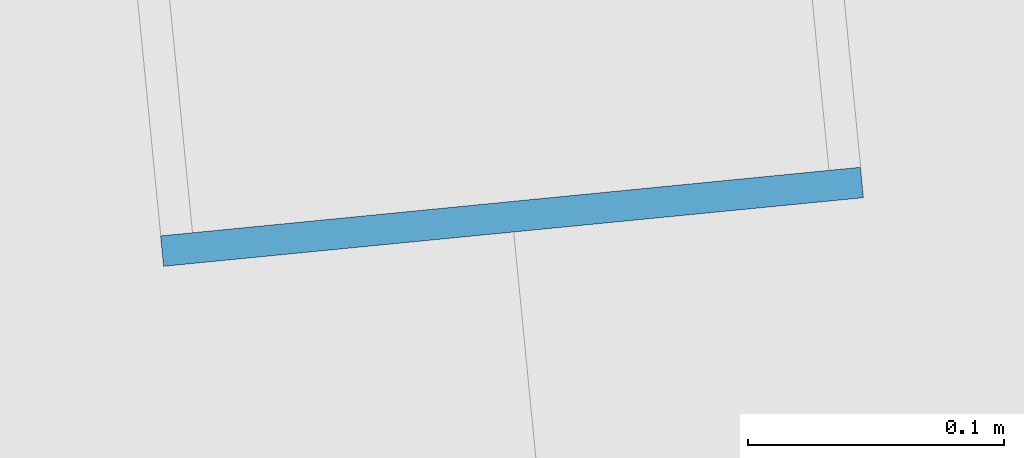
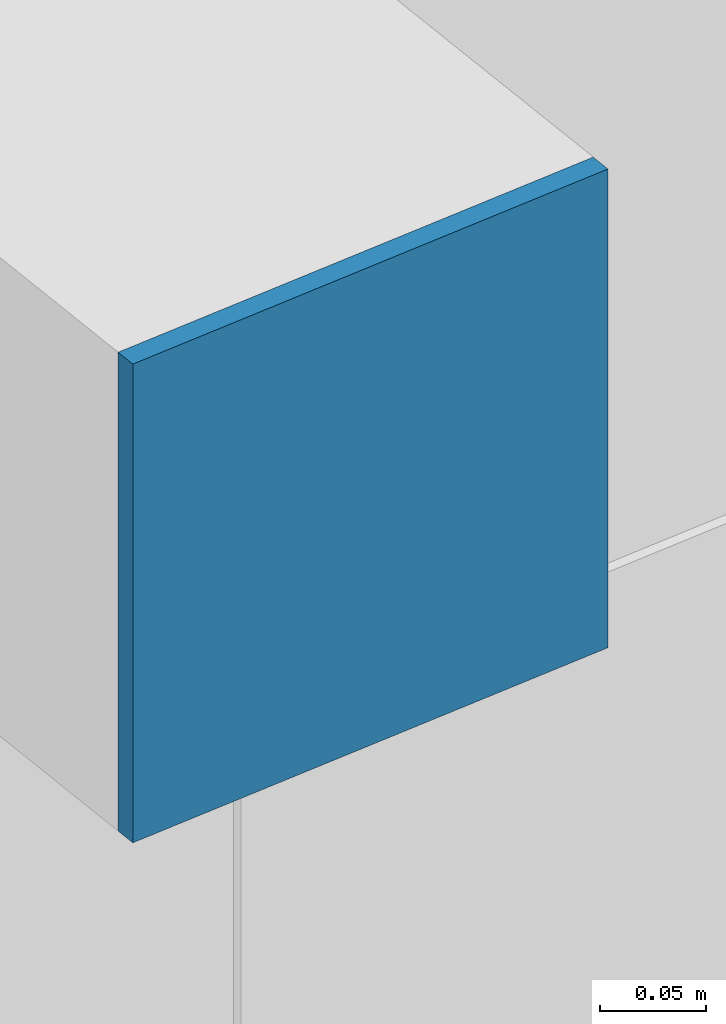
# One storey, part 34 of 47: 1 plate.
"""IFC4 building model written with IfcOpenShell, lengths in metres."""

import ifcopenshell
import ifcopenshell.guid

model = None  # the IFC model being written
_history = None  # IfcOwnerHistory: only IFC2X3 demands one
_inside = {}  # id of a spatial element -> (the spatial element, [elements in it])
_under = {}  # id of a project, library or spatial element -> (it, [spatial elements below it])
_declared = {}  # id of a project -> (the project, [libraries it declares])
_typed = {}  # id of a type object -> (the type object, [elements of that type])
_made_of = {}  # id of a material, layer set ... -> (it, [elements and type objects made of it])


def new_model(schema):
    """Start an empty IFC model of exactly this schema.

    Asked for "IFC4X3", IfcOpenShell would pick the latest addendum, in which some entities
    have other attributes; the version numbers below select the first issue.
    IFC2X3 requires an IfcOwnerHistory on every rooted entity: one is made here for all.
    """
    global model, _history
    if schema == "IFC4X3":
        model = ifcopenshell.file(schema_version=(4, 3, 0, 0))
    else:
        model = ifcopenshell.file(schema=schema)
    _inside.clear()
    _under.clear()
    _declared.clear()
    _typed.clear()
    _made_of.clear()
    _history = None
    if model.schema == "IFC2X3":
        org = make("IfcOrganization", Name="unknown")
        user = make(
            "IfcPersonAndOrganization",
            ThePerson=make("IfcPerson", FamilyName="unknown"),
            TheOrganization=org,
        )
        app = make(
            "IfcApplication",
            ApplicationDeveloper=org,
            Version="unknown",
            ApplicationFullName="unknown",
            ApplicationIdentifier="unknown",
        )
        _history = make(
            "IfcOwnerHistory",
            OwningUser=user,
            OwningApplication=app,
            ChangeAction="ADDED",
            CreationDate=0,
        )
    return model


def make(cls, **values):
    """One entity of the class cls with the attributes given. An attribute that is None is left unset."""
    return model.create_entity(
        cls, **{name: value for name, value in values.items() if value is not None}
    )


def rooted(cls, **values):
    """An entity with a GlobalId (a new one), such as an element, a storey or a relation."""
    return make(cls, GlobalId=ifcopenshell.guid.new(), OwnerHistory=_history, **values)


def si_unit(unit_type, name, prefix=None):
    """IfcSIUnit, for example si_unit("LENGTHUNIT", "METRE", prefix="MILLI")."""
    return make("IfcSIUnit", UnitType=unit_type, Prefix=prefix, Name=name)


def assignment(units):
    """IfcUnitAssignment: the units of a project."""
    return None if units is None else make("IfcUnitAssignment", Units=units)


def point(xyz):
    """IfcCartesianPoint."""
    return None if xyz is None else make("IfcCartesianPoint", Coordinates=xyz)


def direction(xyz):
    """IfcDirection."""
    return None if xyz is None else make("IfcDirection", DirectionRatios=xyz)


def frame(location, z_axis=None, x_axis=None):
    """IfcAxis2Placement3D, a coordinate frame: its origin and axes. An axis left out is left unset."""
    return make(
        "IfcAxis2Placement3D",
        Location=point(location),
        Axis=direction(z_axis),
        RefDirection=direction(x_axis),
    )


def frame_2d(location, x_axis=None):
    """IfcAxis2Placement2D, a coordinate frame in the plane: its origin and x axis."""
    return make(
        "IfcAxis2Placement2D", Location=point(location), RefDirection=direction(x_axis)
    )


def origin():
    """The frame at (0, 0, 0) with its axes left unset."""
    return frame((0.0, 0.0, 0.0))


def origin_2d():
    """The frame at (0, 0) in the plane with its x axis left unset."""
    return frame_2d((0.0, 0.0))


def place(relative_to, where):
    """IfcLocalPlacement: puts the frame where relative to a parent placement (None: the world)."""
    return make(
        "IfcLocalPlacement", PlacementRelTo=relative_to, RelativePlacement=where
    )


def context(
    kind, dimensions, precision=None, world=None, true_north=None, identifier=None
):
    """IfcGeometricRepresentationContext, for example the 3D "Model" context."""
    return make(
        "IfcGeometricRepresentationContext",
        ContextIdentifier=identifier,
        ContextType=kind,
        CoordinateSpaceDimension=dimensions,
        Precision=precision,
        WorldCoordinateSystem=world,
        TrueNorth=true_north,
    )


def subcontext(parent, identifier, kind, view, scale=None):
    """IfcGeometricRepresentationSubContext, for example "Body" below "Model"."""
    return make(
        "IfcGeometricRepresentationSubContext",
        ContextIdentifier=identifier,
        ContextType=kind,
        ParentContext=parent,
        TargetScale=scale,
        TargetView=view,
    )


def project(units=None, contexts=None):
    """IfcProject with its units and contexts."""
    return rooted(
        "IfcProject",
        Name="project",
        RepresentationContexts=contexts,
        UnitsInContext=assignment(units),
    )


def spatial(cls, under=None, at=None, **own):
    """A site, building, storey or space (cls), placed at a placement, below another one or the project."""
    s = rooted(cls, ObjectPlacement=at, **own)
    if under is not None:
        _under.setdefault(under.id(), (under, []))[1].append(s)
    return s


def profile(cls, at=None, kind="AREA", **sizes):
    """A parametric profile (cls). Its sizes go by their IFC names, for example OverallWidth=200.0."""
    return make(cls, ProfileType=kind, Position=at, **sizes)


def rectangle(**sizes):
    """IfcRectangleProfileDef."""
    return profile("IfcRectangleProfileDef", **sizes)


def extrude(swept, where, along, depth):
    """IfcExtrudedAreaSolid: the profile swept, set in the frame where, extruded along a direction by depth."""
    return make(
        "IfcExtrudedAreaSolid",
        SweptArea=swept,
        Position=where,
        ExtrudedDirection=direction(along),
        Depth=depth,
    )


def shape(context_of_items, identifier, shape_type, items):
    """IfcShapeRepresentation: the items that make up one representation, for example the "Body"."""
    return make(
        "IfcShapeRepresentation",
        ContextOfItems=context_of_items,
        RepresentationIdentifier=identifier,
        RepresentationType=shape_type,
        Items=items,
    )


def source(mapping_origin, context_of_items, identifier, shape_type, items):
    """IfcRepresentationMap: a shape defined once, which mapped items show again and again."""
    return make(
        "IfcRepresentationMap",
        MappingOrigin=mapping_origin,
        MappedRepresentation=shape(context_of_items, identifier, shape_type, items),
    )


def transform(
    local_origin,
    x_axis=None,
    y_axis=None,
    z_axis=None,
    scale=None,
    scale2=None,
    scale3=None,
    uniform=True,
):
    """IfcCartesianTransformationOperator3D, or its non-uniform kind. x_axis, y_axis, z_axis: its Axis1, 2, 3."""
    if uniform:
        return make(
            "IfcCartesianTransformationOperator3D",
            Axis1=direction(x_axis),
            Axis2=direction(y_axis),
            LocalOrigin=point(local_origin),
            Scale=scale,
            Axis3=direction(z_axis),
        )
    return make(
        "IfcCartesianTransformationOperator3DnonUniform",
        Axis1=direction(x_axis),
        Axis2=direction(y_axis),
        LocalOrigin=point(local_origin),
        Scale=scale,
        Axis3=direction(z_axis),
        Scale2=scale2,
        Scale3=scale3,
    )


def mapped(mapping_source, mapping_target):
    """IfcMappedItem: shows the shape of a source again, moved by a transform."""
    return make(
        "IfcMappedItem", MappingSource=mapping_source, MappingTarget=mapping_target
    )


def material(Name=None, Category=None):
    """IfcMaterial."""
    return make("IfcMaterial", Name=Name, Category=Category)


def layer(
    of_material, thickness, ventilated=None, Name=None, Category=None, Priority=None
):
    """IfcMaterialLayer: one layer of a wall or slab, of a material (None: an air gap)."""
    return make(
        "IfcMaterialLayer",
        Material=of_material,
        LayerThickness=thickness,
        IsVentilated=ventilated,
        Name=Name,
        Category=Category,
        Priority=Priority,
    )


def layer_set(layers, Name=None):
    """IfcMaterialLayerSet."""
    return make("IfcMaterialLayerSet", MaterialLayers=layers, LayerSetName=Name)


def made_of(thing, what):
    """Note that an element or type object is made of a material, layer set ...; save() writes the relation."""
    if what is not None:
        _made_of.setdefault(what.id(), (what, []))[1].append(thing)
    return thing


def type_object(cls, material=None, **own):
    """A type object (cls), such as IfcWallType, which elements share."""
    return made_of(rooted(cls, **own), material)


def element(
    cls,
    number,
    at=None,
    inside=None,
    cuts=None,
    type_object=None,
    material=None,
    context=None,
    identifier="Body",
    shape_type=None,
    held_by="IfcProductDefinitionShape",
    body=None,
    shapes=None,
    **own,
):
    """One element of the class cls, such as IfcWall. Its Tag is "e" and its number.

    at: its placement. inside: the storey or other place that contains it. cuts: it is an
    opening in that element (IfcRelVoidsElement). A single representation is given by context,
    identifier, shape_type and body (its items); several are given by shapes. held_by: the class
    of the entity that holds the representations. save() writes the other relations.
    """
    e = rooted(cls, Tag="e%d" % number, ObjectPlacement=at, **own)
    if body is not None:
        shapes = [shape(context, identifier, shape_type, body)]
    if shapes is not None:
        e.Representation = make(held_by, Representations=shapes)
    if inside is not None:
        _inside.setdefault(inside.id(), (inside, []))[1].append(e)
    if cuts is not None:
        rooted(
            "IfcRelVoidsElement", RelatingBuildingElement=cuts, RelatedOpeningElement=e
        )
    if type_object is not None:
        _typed.setdefault(type_object.id(), (type_object, []))[1].append(e)
    return made_of(e, material)


def aggregate(whole, parts):
    """IfcRelAggregates: a whole, such as a stair, and the parts it consists of."""
    return rooted("IfcRelAggregates", RelatingObject=whole, RelatedObjects=parts)


def save(model, path):
    """Write the relations noted so far, then the file.

    IfcRelAggregates (storeys below a building ...), IfcRelContainedInSpatialStructure (elements
    in a storey), IfcRelDefinesByType, IfcRelAssociatesMaterial and IfcRelDeclares: one each for
    every whole, place, type object, material and project.
    """
    for whole, parts in _under.values():
        aggregate(whole, parts)
    for where, things in _inside.values():
        rooted(
            "IfcRelContainedInSpatialStructure",
            RelatedElements=things,
            RelatingStructure=where,
        )
    for kind, things in _typed.values():
        rooted("IfcRelDefinesByType", RelatedObjects=things, RelatingType=kind)
    for what, things in _made_of.values():
        rooted("IfcRelAssociatesMaterial", RelatedObjects=things, RelatingMaterial=what)
    for by, libraries in _declared.values():
        rooted("IfcRelDeclares", RelatingContext=by, RelatedDefinitions=libraries)
    model.write(path)


model = new_model("IFC4")

# Units and contexts
model_context = context("Model", 3, precision=1e-05, world=origin(), true_north=direction((0.0, 1.0)))
body_context = subcontext(model_context, "Body", "Model", "MODEL_VIEW")
ifc_project = project(units=[si_unit("LENGTHUNIT", "METRE"), si_unit("AREAUNIT", "SQUARE_METRE"), si_unit("VOLUMEUNIT", "CUBIC_METRE"), si_unit("PLANEANGLEUNIT", "RADIAN"), si_unit("MASSUNIT", "GRAM", prefix="KILO")], contexts=[model_context])

# Site, building, storey
site_placement = place(None, origin())
site = spatial("IfcSite", under=ifc_project, at=site_placement, CompositionType="ELEMENT")
building_placement = place(site_placement, origin())
building = spatial("IfcBuilding", under=site, at=building_placement, Name="Taldren Reach Tower", CompositionType="ELEMENT")
storey_placement = place(building_placement, frame((0.0, 0.0, 87.14990234375)))
storey = spatial("IfcBuildingStorey", under=building, at=storey_placement, Name="L26", CompositionType="ELEMENT", Elevation=87.14990234375)

# Plate
ifc_material = material(Name="Steel Gr 450 (C450L0)", Category="steel")
ifc_layer = layer(ifc_material, 0.011962890625)
ifc_layer_set = layer_set([ifc_layer], Name="Steel Gr 450 (C450L0)")
plate_type = type_object("IfcPlateType", Name="PL-CAP-275", PredefinedType="SHEET", material=ifc_layer_set)
shared_shape = source(origin(), body_context, "Body", "SweptSolid", [
    extrude(rectangle(XDim=0.27490234375, YDim=0.011962890625, at=origin_2d()), origin(), (0.0, 0.0, 1.0), 0.27490234375),
])
plate_placement = place(storey_placement, frame((34.353515625, 0.2607421875, 2.5126953125), z_axis=(0.0, 0.0, 1.0), x_axis=(0.995227399982, 0.097582899759, 0.0)))
element("IfcPlate", 1, at=plate_placement, inside=storey, type_object=plate_type, Name="Tie strut end cap plate B2-S3 L26", PredefinedType="SHEET", context=body_context, shape_type="MappedRepresentation", body=[
    mapped(shared_shape, transform((0.0, 0.0, 0.0), scale=1.0)),
])

save(model, "model.ifc")
